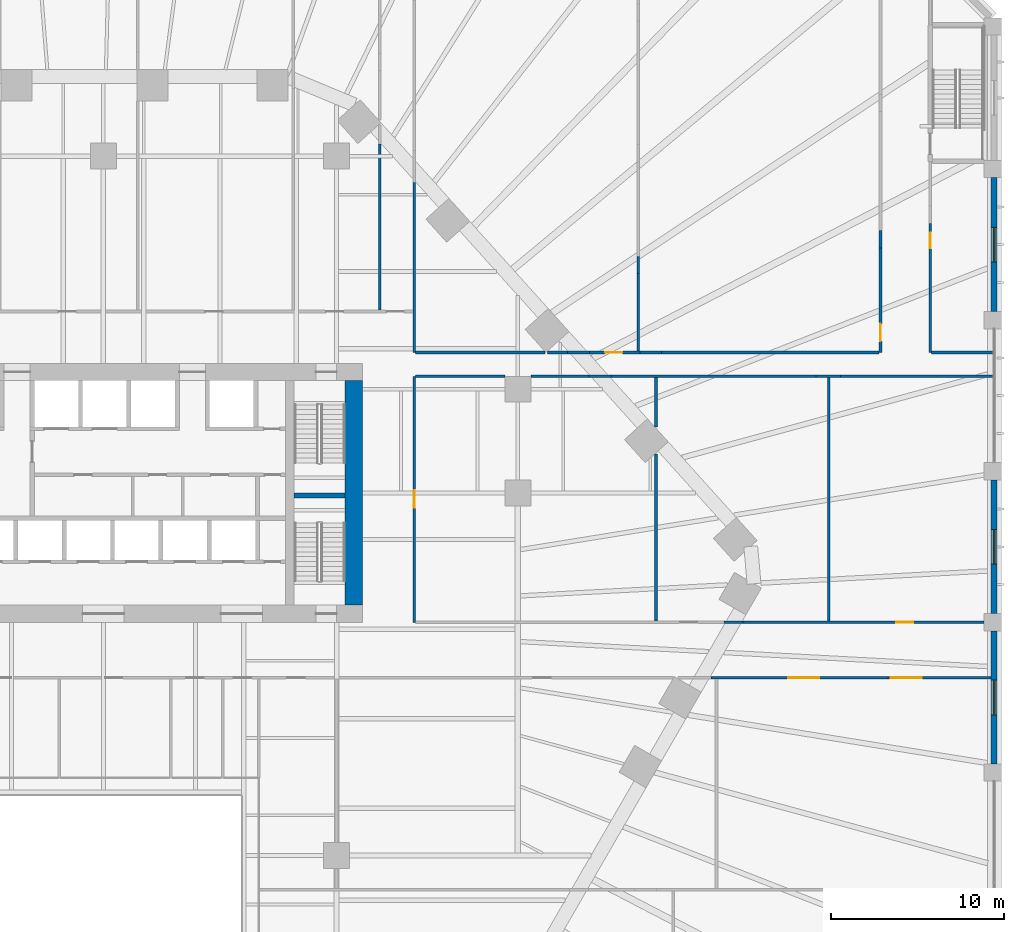
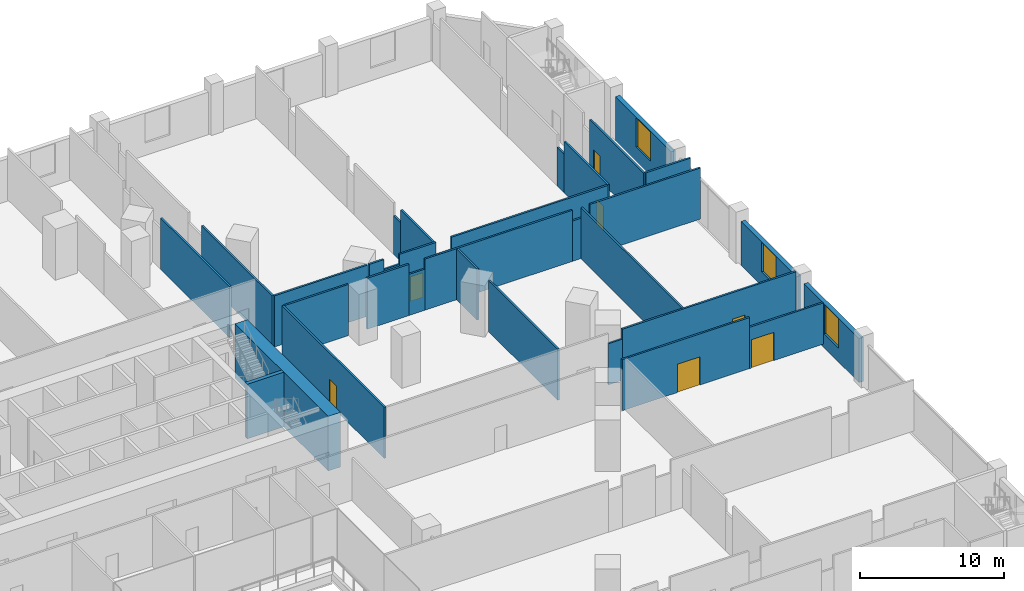
# One storey, part 20 of 33: 33 walls, 7 doors, 3 windows, 10 openings.
"""IFC4 building model written with IfcOpenShell, lengths in metres."""

from ifc_helpers import new_model, si_unit, direction, frame, frame_2d, origin, place, context, subcontext, project, spatial, rectangle, extrude, material, layer, layer_set, type_object, element, fill, save


model = new_model("IFC4")

# Units and contexts
model_context = context("Model", 3, precision=1e-05, world=origin(), true_north=direction((0.0, 1.0)))
body_context = subcontext(model_context, "Body", "Model", "MODEL_VIEW")
ifc_project = project(units=[si_unit("LENGTHUNIT", "METRE"), si_unit("AREAUNIT", "SQUARE_METRE"), si_unit("VOLUMEUNIT", "CUBIC_METRE"), si_unit("PLANEANGLEUNIT", "RADIAN"), si_unit("MASSUNIT", "GRAM", prefix="KILO")], contexts=[model_context])

# Site, building, storey
site_placement = place(None, origin())
site = spatial("IfcSite", under=ifc_project, at=site_placement, CompositionType="ELEMENT")
building_placement = place(site_placement, origin())
building = spatial("IfcBuilding", under=site, at=building_placement, Name="Isthmus Gate Tower", CompositionType="ELEMENT")
storey_placement = place(building_placement, frame((0.0, 0.0, 31.5)))
storey = spatial("IfcBuildingStorey", under=building, at=storey_placement, Name="L05", CompositionType="ELEMENT", Elevation=31.5)

# Wall, opening, door
ifc_material_1 = material(Name="Fire-rated gypsum board on steel studs", Category="steel")
ifc_layer_1 = layer(ifc_material_1, 0.14990234375)
ifc_layer_set_1 = layer_set([ifc_layer_1], Name="Fire-rated partition 150 EI 60")
wall_type_1 = type_object("IfcWallType", Name="Fire-rated partition 150 EI 60", PredefinedType="PARTITIONING", material=ifc_layer_set_1)
wall_1_placement = place(storey_placement, frame((45.0, 15.62939453125, 0.0), z_axis=(0.0, 0.0, 1.0), x_axis=(0.0, 1.0, 0.0)))
wall_1 = element("IfcWall", 1, at=wall_1_placement, inside=storey, type_object=wall_type_1, Name="Fire-rated partition", PredefinedType="PARTITIONING", context=body_context, shape_type="SweptSolid", body=[
    extrude(rectangle(XDim=6.06201171875, YDim=0.14990234375, at=frame_2d((3.031005859375, 0.0))), origin(), (0.0, 0.0, 1.0), 4.35009765625),
])
opening_1_placement = place(wall_1_placement, frame((0.64990234375, 0.0, 0.0)))
opening_1 = element("IfcOpeningElement", 2, at=opening_1_placement, cuts=wall_1, Name="Opening DP05-36", PredefinedType="OPENING", context=body_context, shape_type="SweptSolid", body=[
    extrude(rectangle(XDim=1.0, YDim=2.10009765625, at=frame_2d((0.5, 1.050048828125))), frame((0.0, 0.0849609375, 0.0), z_axis=(0.0, -1.0, 0.0), x_axis=(1.0, 0.0, 0.0)), (0.0, 0.0, 1.0), 0.169921875),
])
ifc_material_2 = material(Name="Steel fire door with intumescent seals", Category="steel")
door_type_1 = type_object("IfcDoorType", Name="Fire door 1000 x 2100", OperationType="SINGLE_SWING_LEFT", PredefinedType="DOOR", material=ifc_material_2)
door_1_placement = place(opening_1_placement, origin())
door_1 = element("IfcDoor", 3, at=door_1_placement, inside=storey, type_object=door_type_1, Name="Door DP05-36", OperationType="SINGLE_SWING_LEFT", OverallHeight=2.10009765625, OverallWidth=1.0, PredefinedType="DOOR", context=body_context, shape_type="SweptSolid", body=[
    extrude(rectangle(XDim=1.0, YDim=2.10009765625, at=frame_2d((0.5, 1.050048828125))), frame((0.0, 0.02490234375, 0.0), z_axis=(0.0, -1.0, 0.0), x_axis=(1.0, 0.0, 0.0)), (0.0, 0.0, 1.0), 0.050048828125),
])
fill(opening_1, door_1)

# Wall
wall_2_placement = place(storey_placement, frame((45.0, 21.69140625, 0.0), z_axis=(0.0, 0.0, 1.0), x_axis=(0.0, 1.0, 0.0)))
element("IfcWall", 4, at=wall_2_placement, inside=storey, type_object=wall_type_1, Name="Fire-rated partition", PredefinedType="PARTITIONING", context=body_context, shape_type="SweptSolid", body=[
    extrude(rectangle(XDim=1.0, YDim=0.14990234375, at=frame_2d((0.5, 0.0))), origin(), (0.0, 0.0, 1.0), 3.260986328125),
])

# Wall, opening, door
wall_3_placement = place(storey_placement, frame((47.875, 15.62939453125, 0.0), z_axis=(0.0, 0.0, 1.0), x_axis=(0.0, 1.0, 0.0)))
wall_3 = element("IfcWall", 5, at=wall_3_placement, inside=storey, type_object=wall_type_1, Name="Fire-rated partition", PredefinedType="PARTITIONING", context=body_context, shape_type="SweptSolid", body=[
    extrude(rectangle(XDim=7.47998046875, YDim=0.14990234375, at=frame_2d((3.739990234375, 0.0))), origin(), (0.0, 0.0, 1.0), 4.35009765625),
])
opening_2_placement = place(wall_3_placement, frame((6.020751953125, 0.0, 0.0)))
opening_2 = element("IfcOpeningElement", 6, at=opening_2_placement, cuts=wall_3, Name="Opening DP05-05", PredefinedType="OPENING", context=body_context, shape_type="SweptSolid", body=[
    extrude(rectangle(XDim=0.89990234375, YDim=2.10009765625, at=frame_2d((0.449951171875, 1.050048828125))), frame((0.0, 0.0849609375, 0.0), z_axis=(0.0, -1.0, 0.0), x_axis=(1.0, 0.0, 0.0)), (0.0, 0.0, 1.0), 0.169921875),
])
ifc_material_3 = material(Name="Steel fire door with intumescent seals", Category="steel")
door_type_2 = type_object("IfcDoorType", Name="Fire door 900 x 2100", OperationType="SINGLE_SWING_LEFT", PredefinedType="DOOR", material=ifc_material_3)
door_2_placement = place(opening_2_placement, origin())
door_2 = element("IfcDoor", 7, at=door_2_placement, inside=storey, type_object=door_type_2, Name="Door DP05-05", OperationType="SINGLE_SWING_LEFT", OverallHeight=2.10009765625, OverallWidth=0.89990234375, PredefinedType="DOOR", context=body_context, shape_type="SweptSolid", body=[
    extrude(rectangle(XDim=0.89990234375, YDim=2.10009765625, at=frame_2d((0.449951171875, 1.050048828125))), frame((0.0, 0.02490234375, 0.0), z_axis=(0.0, -1.0, 0.0), x_axis=(1.0, 0.0, 0.0)), (0.0, 0.0, 1.0), 0.050048828125),
])
fill(opening_2, door_2)

# Wall, opening, window
ifc_material_4 = material(Name="Precast concrete C40/50, limestone-faced", Category="masonry")
ifc_layer_2 = layer(ifc_material_4, 0.35009765625)
ifc_layer_set_2 = layer_set([ifc_layer_2], Name="PODIUM CLADDING WALL 350")
wall_type_2 = type_object("IfcWallType", Name="PODIUM CLADDING WALL 350", PredefinedType="SOLIDWALL", material=ifc_layer_set_2)
wall_4_placement = place(storey_placement, frame((51.574951171875, -8.199951171875, -0.300048828125), z_axis=(0.0, 0.0, 1.0), x_axis=(0.0, 1.0, 0.0)))
wall_4 = element("IfcWall", 8, at=wall_4_placement, inside=storey, type_object=wall_type_2, Name="PODIUM WALL", PredefinedType="SOLIDWALL", context=body_context, shape_type="SweptSolid", body=[
    extrude(rectangle(XDim=7.699951171875, YDim=0.35009765625, at=frame_2d((3.85009765625, 0.0))), origin(), (0.0, 0.0, 1.0), 3.75),
])
opening_3_placement = place(wall_4_placement, frame((2.85009765625, 0.0, 1.199951171875)))
opening_3 = element("IfcOpeningElement", 9, at=opening_3_placement, cuts=wall_4, Name="Opening W102", PredefinedType="OPENING", context=body_context, shape_type="SweptSolid", body=[
    extrude(rectangle(XDim=2.0, YDim=2.5, at=frame_2d((1.0, 1.25))), frame((0.0, 0.18505859375, 0.0), z_axis=(0.0, -1.0, 0.0), x_axis=(1.0, 0.0, 0.0)), (0.0, 0.0, 1.0), 0.3701171875),
])
ifc_material_5 = material(Name="Aluminium, pale champagne anodised, laminated glass", Category="aluminium")
window_type = type_object("IfcWindowType", Name="PODIUM SLOT WINDOW 2000 X 2500", PartitioningType="SINGLE_PANEL", PredefinedType="WINDOW", material=ifc_material_5)
window_1_placement = place(opening_3_placement, origin())
window_1 = element("IfcWindow", 10, at=window_1_placement, inside=storey, type_object=window_type, Name="SLOT WINDOW", OverallHeight=2.5, OverallWidth=2.0, PartitioningType="SINGLE_PANEL", PredefinedType="WINDOW", context=body_context, shape_type="SweptSolid", body=[
    extrude(rectangle(XDim=2.0, YDim=2.5, at=frame_2d((1.0, 1.25))), frame((0.0, 0.030029296875, 0.0), z_axis=(0.0, -1.0, 0.0), x_axis=(1.0, 0.0, 0.0)), (0.0, 0.0, 1.0), 0.06005859375),
])
fill(opening_3, window_1)

wall_5_placement = place(storey_placement, frame((51.574951171875, 0.5, -0.300048828125), z_axis=(0.0, 0.0, 1.0), x_axis=(0.0, 1.0, 0.0)))
wall_5 = element("IfcWall", 11, at=wall_5_placement, inside=storey, type_object=wall_type_2, Name="PODIUM WALL", PredefinedType="SOLIDWALL", context=body_context, shape_type="SweptSolid", body=[
    extrude(rectangle(XDim=7.75, YDim=0.35009765625, at=frame_2d((3.875, 0.0))), origin(), (0.0, 0.0, 1.0), 3.75),
])
opening_4_placement = place(wall_5_placement, frame((2.875, 0.0, 1.199951171875)))
opening_4 = element("IfcOpeningElement", 12, at=opening_4_placement, cuts=wall_5, Name="Opening W103", PredefinedType="OPENING", context=body_context, shape_type="SweptSolid", body=[
    extrude(rectangle(XDim=2.0, YDim=2.5, at=frame_2d((1.0, 1.25))), frame((0.0, 0.18505859375, 0.0), z_axis=(0.0, -1.0, 0.0), x_axis=(1.0, 0.0, 0.0)), (0.0, 0.0, 1.0), 0.3701171875),
])
window_2_placement = place(opening_4_placement, origin())
window_2 = element("IfcWindow", 13, at=window_2_placement, inside=storey, type_object=window_type, Name="SLOT WINDOW", OverallHeight=2.5, OverallWidth=2.0, PartitioningType="SINGLE_PANEL", PredefinedType="WINDOW", context=body_context, shape_type="SweptSolid", body=[
    extrude(rectangle(XDim=2.0, YDim=2.5, at=frame_2d((1.0, 1.25))), frame((0.0, 0.030029296875, 0.0), z_axis=(0.0, -1.0, 0.0), x_axis=(1.0, 0.0, 0.0)), (0.0, 0.0, 1.0), 0.06005859375),
])
fill(opening_4, window_2)

wall_6_placement = place(storey_placement, frame((51.574951171875, 18.0, -0.300048828125), z_axis=(0.0, 0.0, 1.0), x_axis=(0.0, 1.0, 0.0)))
wall_6 = element("IfcWall", 14, at=wall_6_placement, inside=storey, type_object=wall_type_2, Name="PODIUM WALL", PredefinedType="SOLIDWALL", context=body_context, shape_type="SweptSolid", body=[
    extrude(rectangle(XDim=7.75, YDim=0.35009765625, at=frame_2d((3.875, 0.0))), origin(), (0.0, 0.0, 1.0), 3.75),
])
opening_5_placement = place(wall_6_placement, frame((2.875, 0.0, 1.199951171875)))
opening_5 = element("IfcOpeningElement", 15, at=opening_5_placement, cuts=wall_6, Name="Opening W104", PredefinedType="OPENING", context=body_context, shape_type="SweptSolid", body=[
    extrude(rectangle(XDim=2.0, YDim=2.5, at=frame_2d((1.0, 1.25))), frame((0.0, 0.18505859375, 0.0), z_axis=(0.0, -1.0, 0.0), x_axis=(1.0, 0.0, 0.0)), (0.0, 0.0, 1.0), 0.3701171875),
])
window_3_placement = place(opening_5_placement, origin())
window_3 = element("IfcWindow", 16, at=window_3_placement, inside=storey, type_object=window_type, Name="SLOT WINDOW", OverallHeight=2.5, OverallWidth=2.0, PartitioningType="SINGLE_PANEL", PredefinedType="WINDOW", context=body_context, shape_type="SweptSolid", body=[
    extrude(rectangle(XDim=2.0, YDim=2.5, at=frame_2d((1.0, 1.25))), frame((0.0, 0.030029296875, 0.0), z_axis=(0.0, -1.0, 0.0), x_axis=(1.0, 0.0, 0.0)), (0.0, 0.0, 1.0), 0.06005859375),
])
fill(opening_5, window_3)

# Wall, opening, door
ifc_material_6 = material(Name="Gypsum board on cold-formed steel studs", Category="steel")
ifc_layer_3 = layer(ifc_material_6, 0.14990234375)
ifc_layer_set_3 = layer_set([ifc_layer_3])
wall_type_3 = type_object("IfcWallType", Name="Partition 150 gypsum board on steel studs", PredefinedType="PARTITIONING", material=ifc_layer_set_3)
wall_7_placement = place(storey_placement, frame((35.189453125, -3.199951171875, 0.0), z_axis=(0.0, 0.0, 1.0), x_axis=(1.0, 0.0, 0.0)))
wall_7 = element("IfcWall", 17, at=wall_7_placement, inside=storey, type_object=wall_type_3, Name="Partition", PredefinedType="PARTITIONING", context=body_context, shape_type="SweptSolid", body=[
    extrude(rectangle(XDim=10.25341796875, YDim=0.14990234375, at=frame_2d((5.126708984375, 0.0))), origin(), (0.0, 0.0, 1.0), 4.35009765625),
])
opening_6_placement = place(wall_7_placement, frame((4.46044921875, 0.0, 0.0)))
opening_6 = element("IfcOpeningElement", 18, at=opening_6_placement, cuts=wall_7, Name="Opening DP05-19", PredefinedType="OPENING", context=body_context, shape_type="SweptSolid", body=[
    extrude(rectangle(XDim=1.800048828125, YDim=2.39990234375, at=frame_2d((0.89990234375, 1.199951171875))), frame((0.0, 0.0849609375, 0.0), z_axis=(0.0, -1.0, 0.0), x_axis=(1.0, 0.0, 0.0)), (0.0, 0.0, 1.0), 0.169921875),
])
ifc_material_7 = material(Name="Hollow metal frame with solid-core timber leaves", Category="wood")
door_type_3 = type_object("IfcDoorType", Name="Double swing door 1800 x 2400", OperationType="DOUBLE_DOOR_SINGLE_SWING", PredefinedType="DOOR", material=ifc_material_7)
door_3_placement = place(opening_6_placement, origin())
door_3 = element("IfcDoor", 19, at=door_3_placement, inside=storey, type_object=door_type_3, Name="Door DP05-19", OperationType="SINGLE_SWING_LEFT", OverallHeight=2.39990234375, OverallWidth=1.800048828125, PredefinedType="DOOR", context=body_context, shape_type="SweptSolid", body=[
    extrude(rectangle(XDim=1.800048828125, YDim=2.39990234375, at=frame_2d((0.89990234375, 1.199951171875))), frame((0.0, 0.02490234375, 0.0), z_axis=(0.0, -1.0, 0.0), x_axis=(1.0, 0.0, 0.0)), (0.0, 0.0, 1.0), 0.050048828125),
])
fill(opening_6, door_3)

wall_8_placement = place(storey_placement, frame((45.44287109375, -3.199951171875, 0.0), z_axis=(0.0, 0.0, 1.0), x_axis=(1.0, 0.0, 0.0)))
wall_8 = element("IfcWall", 20, at=wall_8_placement, inside=storey, type_object=wall_type_3, Name="Partition", PredefinedType="PARTITIONING", context=body_context, shape_type="SweptSolid", body=[
    extrude(rectangle(XDim=5.95703125, YDim=0.14990234375, at=frame_2d((2.978515625, 0.0))), origin(), (0.0, 0.0, 1.0), 3.514892578125),
])
opening_7_placement = place(wall_8_placement, frame((0.14990234375, 0.0, 0.0)))
opening_7 = element("IfcOpeningElement", 21, at=opening_7_placement, cuts=wall_8, Name="Opening DP05-20", PredefinedType="OPENING", context=body_context, shape_type="SweptSolid", body=[
    extrude(rectangle(XDim=1.800048828125, YDim=2.39990234375, at=frame_2d((0.89990234375, 1.199951171875))), frame((0.0, 0.0849609375, 0.0), z_axis=(0.0, -1.0, 0.0), x_axis=(1.0, 0.0, 0.0)), (0.0, 0.0, 1.0), 0.169921875),
])
door_4_placement = place(opening_7_placement, origin())
door_4 = element("IfcDoor", 22, at=door_4_placement, inside=storey, type_object=door_type_3, Name="Door DP05-20", OperationType="SINGLE_SWING_LEFT", OverallHeight=2.39990234375, OverallWidth=1.800048828125, PredefinedType="DOOR", context=body_context, shape_type="SweptSolid", body=[
    extrude(rectangle(XDim=1.800048828125, YDim=2.39990234375, at=frame_2d((0.89990234375, 1.199951171875))), frame((0.0, 0.02490234375, 0.0), z_axis=(0.0, -1.0, 0.0), x_axis=(1.0, 0.0, 0.0)), (0.0, 0.0, 1.0), 0.050048828125),
])
fill(opening_7, door_4)

# Wall
wall_9_placement = place(storey_placement, frame((35.940185546875, 0.0, 0.0), z_axis=(0.0, 0.0, 1.0), x_axis=(1.0, 0.0, 0.0)))
element("IfcWall", 23, at=wall_9_placement, inside=storey, type_object=wall_type_3, Name="Partition", PredefinedType="PARTITIONING", context=body_context, shape_type="SweptSolid", body=[
    extrude(rectangle(XDim=1.096923828125, YDim=0.14990234375, at=frame_2d((0.54833984375, 0.0))), origin(), (0.0, 0.0, 1.0), 3.5),
])

# Wall, opening, door
wall_10_placement = place(storey_placement, frame((37.037109375, 0.0, 0.0), z_axis=(0.0, 0.0, 1.0), x_axis=(1.0, 0.0, 0.0)))
wall_10 = element("IfcWall", 24, at=wall_10_placement, inside=storey, type_object=wall_type_3, Name="Partition", PredefinedType="PARTITIONING", context=body_context, shape_type="SweptSolid", body=[
    extrude(rectangle(XDim=13.962890625, YDim=0.14990234375, at=frame_2d((6.9814453125, 0.0))), origin(), (0.0, 0.0, 1.0), 4.35009765625),
])
opening_8_placement = place(wall_10_placement, frame((8.863037109375, 0.0, 0.0)))
opening_8 = element("IfcOpeningElement", 25, at=opening_8_placement, cuts=wall_10, Name="Opening DP05-42", PredefinedType="OPENING", context=body_context, shape_type="SweptSolid", body=[
    extrude(rectangle(XDim=1.0, YDim=2.10009765625, at=frame_2d((0.5, 1.050048828125))), frame((0.0, 0.0849609375, 0.0), z_axis=(0.0, -1.0, 0.0), x_axis=(1.0, 0.0, 0.0)), (0.0, 0.0, 1.0), 0.169921875),
])
ifc_material_8 = material(Name="Hollow metal frame with solid-core timber leaf", Category="wood")
door_type_4 = type_object("IfcDoorType", Name="Single swing door 1000 x 2100", OperationType="SINGLE_SWING_LEFT", PredefinedType="DOOR", material=ifc_material_8)
door_5_placement = place(opening_8_placement, origin())
door_5 = element("IfcDoor", 26, at=door_5_placement, inside=storey, type_object=door_type_4, Name="Door DP05-42", OperationType="SINGLE_SWING_LEFT", OverallHeight=2.10009765625, OverallWidth=1.0, PredefinedType="DOOR", context=body_context, shape_type="SweptSolid", body=[
    extrude(rectangle(XDim=1.0, YDim=2.10009765625, at=frame_2d((0.5, 1.050048828125))), frame((0.0, 0.02490234375, 0.0), z_axis=(0.0, -1.0, 0.0), x_axis=(1.0, 0.0, 0.0)), (0.0, 0.0, 1.0), 0.050048828125),
])
fill(opening_8, door_5)

# Walls
wall_11_placement = place(storey_placement, frame((18.074951171875, 14.25, 0.0), z_axis=(0.0, 0.0, 1.0), x_axis=(1.0, 0.0, 0.0)))
element("IfcWall", 27, at=wall_11_placement, inside=storey, type_object=wall_type_3, Name="Partition", PredefinedType="PARTITIONING", context=body_context, shape_type="SweptSolid", body=[
    extrude(rectangle(XDim=5.175048828125, YDim=0.14990234375, at=frame_2d((2.58740234375, 0.0))), origin(), (0.0, 0.0, 1.0), 4.35009765625),
])
wall_12_placement = place(storey_placement, frame((24.75, 14.25, 0.0), z_axis=(0.0, 0.0, 1.0), x_axis=(1.0, 0.0, 0.0)))
element("IfcWall", 28, at=wall_12_placement, inside=storey, type_object=wall_type_3, Name="Partition", PredefinedType="PARTITIONING", context=body_context, shape_type="SweptSolid", body=[
    extrude(rectangle(XDim=3.361083984375, YDim=0.14990234375, at=frame_2d((1.6806640625, 0.0))), origin(), (0.0, 0.0, 1.0), 4.35009765625),
])
wall_13_placement = place(storey_placement, frame((28.111083984375, 14.25, 0.0), z_axis=(0.0, 0.0, 1.0), x_axis=(1.0, 0.0, 0.0)))
element("IfcWall", 29, at=wall_13_placement, inside=storey, type_object=wall_type_3, Name="Partition", PredefinedType="PARTITIONING", context=body_context, shape_type="SweptSolid", body=[
    extrude(rectangle(XDim=1.2783203125, YDim=0.14990234375, at=frame_2d((0.63916015625, 0.0))), origin(), (0.0, 0.0, 1.0), 3.5),
])
wall_14_placement = place(storey_placement, frame((29.389404296875, 14.25, 0.0), z_axis=(0.0, 0.0, 1.0), x_axis=(1.0, 0.0, 0.0)))
element("IfcWall", 30, at=wall_14_placement, inside=storey, type_object=wall_type_3, Name="Partition", PredefinedType="PARTITIONING", context=body_context, shape_type="SweptSolid", body=[
    extrude(rectangle(XDim=11.88232421875, YDim=0.14990234375, at=frame_2d((5.941162109375, 0.0))), origin(), (0.0, 0.0, 1.0), 4.35009765625),
])
wall_15_placement = place(storey_placement, frame((41.271728515625, 14.25, 0.0), z_axis=(0.0, 0.0, 1.0), x_axis=(1.0, 0.0, 0.0)))
element("IfcWall", 31, at=wall_15_placement, inside=storey, type_object=wall_type_3, Name="Partition", PredefinedType="PARTITIONING", context=body_context, shape_type="SweptSolid", body=[
    extrude(rectangle(XDim=1.414794921875, YDim=0.14990234375, at=frame_2d((0.70751953125, 0.0))), origin(), (0.0, 0.0, 1.0), 3.435546875),
])
wall_16_placement = place(storey_placement, frame((42.6865234375, 14.25, 0.0), z_axis=(0.0, 0.0, 1.0), x_axis=(1.0, 0.0, 0.0)))
element("IfcWall", 32, at=wall_16_placement, inside=storey, type_object=wall_type_3, Name="Partition", PredefinedType="PARTITIONING", context=body_context, shape_type="SweptSolid", body=[
    extrude(rectangle(XDim=8.883544921875, YDim=0.14990234375, at=frame_2d((4.44189453125, 0.0))), origin(), (0.0, 0.0, 1.0), 4.35009765625),
])
wall_17_placement = place(storey_placement, frame((18.074951171875, 15.62890625, 0.0), z_axis=(0.0, 0.0, 1.0), x_axis=(1.0, 0.0, 0.0)))
element("IfcWall", 33, at=wall_17_placement, inside=storey, type_object=wall_type_3, Name="Partition", PredefinedType="PARTITIONING", context=body_context, shape_type="SweptSolid", body=[
    extrude(rectangle(XDim=7.482177734375, YDim=0.14990234375, at=frame_2d((3.7412109375, 0.0))), origin(), (0.0, 0.0, 1.0), 4.35009765625),
])
wall_18_placement = place(storey_placement, frame((25.70751953125, 15.62890625, 0.0), z_axis=(0.0, 0.0, 1.0), x_axis=(1.0, 0.0, 0.0)))
element("IfcWall", 34, at=wall_18_placement, inside=storey, type_object=wall_type_3, Name="Partition", PredefinedType="PARTITIONING", context=body_context, shape_type="SweptSolid", body=[
    extrude(rectangle(XDim=1.161865234375, YDim=0.14990234375, at=frame_2d((0.5810546875, 0.0))), origin(), (0.0, 0.0, 1.0), 4.35009765625),
])
wall_19_placement = place(storey_placement, frame((26.869384765625, 15.62890625, 0.0), z_axis=(0.0, 0.0, 1.0), x_axis=(1.0, 0.0, 0.0)))
element("IfcWall", 35, at=wall_19_placement, inside=storey, type_object=wall_type_3, Name="Partition", PredefinedType="PARTITIONING", context=body_context, shape_type="SweptSolid", body=[
    extrude(rectangle(XDim=1.2783203125, YDim=0.14990234375, at=frame_2d((0.63916015625, 0.0))), origin(), (0.0, 0.0, 1.0), 3.5),
])

# Wall, opening, door
wall_20_placement = place(storey_placement, frame((28.147705078125, 15.62890625, 0.0), z_axis=(0.0, 0.0, 1.0), x_axis=(1.0, 0.0, 0.0)))
wall_20 = element("IfcWall", 36, at=wall_20_placement, inside=storey, type_object=wall_type_3, Name="Partition", PredefinedType="PARTITIONING", context=body_context, shape_type="SweptSolid", body=[
    extrude(rectangle(XDim=2.923095703125, YDim=0.14990234375, at=frame_2d((1.46142578125, 0.0))), origin(), (0.0, 0.0, 1.0), 4.35009765625),
])
opening_9_placement = place(wall_20_placement, frame((0.89990234375, 0.0, 0.0)))
opening_9 = element("IfcOpeningElement", 37, at=opening_9_placement, cuts=wall_20, Name="Opening DP05-35", PredefinedType="OPENING", context=body_context, shape_type="SweptSolid", body=[
    extrude(rectangle(XDim=1.0, YDim=2.10009765625, at=frame_2d((0.5, 1.050048828125))), frame((0.0, 0.0849609375, 0.0), z_axis=(0.0, -1.0, 0.0), x_axis=(1.0, 0.0, 0.0)), (0.0, 0.0, 1.0), 0.169921875),
])
door_6_placement = place(opening_9_placement, origin())
door_6 = element("IfcDoor", 38, at=door_6_placement, inside=storey, type_object=door_type_4, Name="Door DP05-35", OperationType="SINGLE_SWING_LEFT", OverallHeight=2.10009765625, OverallWidth=1.0, PredefinedType="DOOR", context=body_context, shape_type="SweptSolid", body=[
    extrude(rectangle(XDim=1.0, YDim=2.10009765625, at=frame_2d((0.5, 1.050048828125))), frame((0.0, 0.02490234375, 0.0), z_axis=(0.0, -1.0, 0.0), x_axis=(1.0, 0.0, 0.0)), (0.0, 0.0, 1.0), 0.050048828125),
])
fill(opening_9, door_6)

# Walls
wall_21_placement = place(storey_placement, frame((31.07080078125, 15.62890625, 0.0), z_axis=(0.0, 0.0, 1.0), x_axis=(1.0, 0.0, 0.0)))
element("IfcWall", 39, at=wall_21_placement, inside=storey, type_object=wall_type_3, Name="Partition", PredefinedType="PARTITIONING", context=body_context, shape_type="SweptSolid", body=[
    extrude(rectangle(XDim=1.243408203125, YDim=0.14990234375, at=frame_2d((0.62158203125, 0.0))), origin(), (0.0, 0.0, 1.0), 3.260986328125),
])
wall_22_placement = place(storey_placement, frame((32.314208984375, 15.62890625, 0.0), z_axis=(0.0, 0.0, 1.0), x_axis=(1.0, 0.0, 0.0)))
element("IfcWall", 40, at=wall_22_placement, inside=storey, type_object=wall_type_3, Name="Partition", PredefinedType="PARTITIONING", context=body_context, shape_type="SweptSolid", body=[
    extrude(rectangle(XDim=12.61083984375, YDim=0.14990234375, at=frame_2d((6.305419921875, 0.0))), origin(), (0.0, 0.0, 1.0), 4.35009765625),
])
wall_23_placement = place(storey_placement, frame((47.949951171875, 15.62890625, 0.0), z_axis=(0.0, 0.0, 1.0), x_axis=(1.0, 0.0, 0.0)))
element("IfcWall", 41, at=wall_23_placement, inside=storey, type_object=wall_type_3, Name="Partition", PredefinedType="PARTITIONING", context=body_context, shape_type="SweptSolid", body=[
    extrude(rectangle(XDim=3.6201171875, YDim=0.14990234375, at=frame_2d((1.81005859375, 0.0))), origin(), (0.0, 0.0, 1.0), 4.35009765625),
])
wall_24_placement = place(storey_placement, frame((16.0, 18.074951171875, 0.0), z_axis=(0.0, 0.0, 1.0), x_axis=(0.0, 1.0, 0.0)))
element("IfcWall", 42, at=wall_24_placement, inside=storey, type_object=wall_type_3, Name="Partition", PredefinedType="PARTITIONING", context=body_context, shape_type="SweptSolid", body=[
    extrude(rectangle(XDim=9.625732421875, YDim=0.14990234375, at=frame_2d((4.81298828125, 0.0))), origin(), (0.0, 0.0, 1.0), 4.35009765625),
])

# Wall, opening, door
wall_25_placement = place(storey_placement, frame((18.0, 0.0, 0.0), z_axis=(0.0, 0.0, 1.0), x_axis=(0.0, 1.0, 0.0)))
wall_25 = element("IfcWall", 43, at=wall_25_placement, inside=storey, type_object=wall_type_3, Name="Partition", PredefinedType="PARTITIONING", context=body_context, shape_type="SweptSolid", body=[
    extrude(rectangle(XDim=14.25, YDim=0.14990234375, at=frame_2d((7.125, 0.0))), origin(), (0.0, 0.0, 1.0), 4.35009765625),
])
opening_10_placement = place(wall_25_placement, frame((6.64990234375, 0.0, 0.0)))
opening_10 = element("IfcOpeningElement", 44, at=opening_10_placement, cuts=wall_25, Name="Opening DP05-40", PredefinedType="OPENING", context=body_context, shape_type="SweptSolid", body=[
    extrude(rectangle(XDim=1.0, YDim=2.10009765625, at=frame_2d((0.5, 1.050048828125))), frame((0.0, 0.0849609375, 0.0), z_axis=(0.0, -1.0, 0.0), x_axis=(1.0, 0.0, 0.0)), (0.0, 0.0, 1.0), 0.169921875),
])
door_7_placement = place(opening_10_placement, origin())
door_7 = element("IfcDoor", 45, at=door_7_placement, inside=storey, type_object=door_type_4, Name="Door DP05-40", OperationType="SINGLE_SWING_LEFT", OverallHeight=2.10009765625, OverallWidth=1.0, PredefinedType="DOOR", context=body_context, shape_type="SweptSolid", body=[
    extrude(rectangle(XDim=1.0, YDim=2.10009765625, at=frame_2d((0.5, 1.050048828125))), frame((0.0, 0.02490234375, 0.0), z_axis=(0.0, -1.0, 0.0), x_axis=(1.0, 0.0, 0.0)), (0.0, 0.0, 1.0), 0.050048828125),
])
fill(opening_10, door_7)

# Walls
wall_26_placement = place(storey_placement, frame((18.0, 15.62939453125, 0.0), z_axis=(0.0, 0.0, 1.0), x_axis=(0.0, 1.0, 0.0)))
element("IfcWall", 46, at=wall_26_placement, inside=storey, type_object=wall_type_3, Name="Partition", PredefinedType="PARTITIONING", context=body_context, shape_type="SweptSolid", body=[
    extrude(rectangle(XDim=9.85009765625, YDim=0.14990234375, at=frame_2d((4.925048828125, 0.0))), origin(), (0.0, 0.0, 1.0), 4.35009765625),
])
wall_27_placement = place(storey_placement, frame((32.0, 0.074951171875, 0.0), z_axis=(0.0, 0.0, 1.0), x_axis=(0.0, 1.0, 0.0)))
element("IfcWall", 47, at=wall_27_placement, inside=storey, type_object=wall_type_3, Name="Partition", PredefinedType="PARTITIONING", context=body_context, shape_type="SweptSolid", body=[
    extrude(rectangle(XDim=9.669189453125, YDim=0.14990234375, at=frame_2d((4.83447265625, 0.0))), origin(), (0.0, 0.0, 1.0), 4.35009765625),
])
wall_28_placement = place(storey_placement, frame((32.0, 11.322021484375, 0.0), z_axis=(0.0, 0.0, 1.0), x_axis=(0.0, 1.0, 0.0)))
element("IfcWall", 48, at=wall_28_placement, inside=storey, type_object=wall_type_3, Name="Partition", PredefinedType="PARTITIONING", context=body_context, shape_type="SweptSolid", body=[
    extrude(rectangle(XDim=2.85302734375, YDim=0.14990234375, at=frame_2d((1.426513671875, 0.0))), origin(), (0.0, 0.0, 1.0), 4.35009765625),
])
wall_29_placement = place(storey_placement, frame((30.97509765625, 15.7041015625, 0.0), z_axis=(0.0, 0.0, 1.0), x_axis=(0.0, 1.0, 0.0)))
element("IfcWall", 49, at=wall_29_placement, inside=storey, type_object=wall_type_3, Name="Partition", PredefinedType="PARTITIONING", context=body_context, shape_type="SweptSolid", body=[
    extrude(rectangle(XDim=4.49267578125, YDim=0.14990234375, at=frame_2d((2.246337890625, 0.0))), origin(), (0.0, 0.0, 1.0), 4.35009765625),
])
wall_30_placement = place(storey_placement, frame((30.97509765625, 20.19677734375, 0.0), z_axis=(0.0, 0.0, 1.0), x_axis=(0.0, 1.0, 0.0)))
element("IfcWall", 50, at=wall_30_placement, inside=storey, type_object=wall_type_3, Name="Partition", PredefinedType="PARTITIONING", context=body_context, shape_type="SweptSolid", body=[
    extrude(rectangle(XDim=1.0, YDim=0.14990234375, at=frame_2d((0.5, 0.0))), origin(), (0.0, 0.0, 1.0), 3.260986328125),
])
wall_31_placement = place(storey_placement, frame((42.0, 0.074951171875, 0.0), z_axis=(0.0, 0.0, 1.0), x_axis=(0.0, 1.0, 0.0)))
element("IfcWall", 51, at=wall_31_placement, inside=storey, type_object=wall_type_3, Name="Partition", PredefinedType="PARTITIONING", context=body_context, shape_type="SweptSolid", body=[
    extrude(rectangle(XDim=14.10009765625, YDim=0.14990234375, at=frame_2d((7.050048828125, 0.0))), origin(), (0.0, 0.0, 1.0), 4.35009765625),
])
ifc_material_9 = material(Name="Concrete f'c 70 MPa", Category="concrete")
ifc_layer_4 = layer(ifc_material_9, 1.0)
ifc_layer_set_4 = layer_set([ifc_layer_4], Name="RC CORE WALL 1000 F'C 70")
wall_type_4 = type_object("IfcWallType", Name="RC CORE WALL 1000 F'C 70", PredefinedType="SOLIDWALL", material=ifc_layer_set_4)
wall_32_placement = place(storey_placement, frame((14.5, 1.0, -0.300048828125), z_axis=(0.0, 0.0, 1.0), x_axis=(0.0, 1.0, 0.0)))
element("IfcWall", 52, at=wall_32_placement, inside=storey, type_object=wall_type_4, Name="str-corewall-L05-E", PredefinedType="SOLIDWALL", context=body_context, shape_type="SweptSolid", body=[
    extrude(rectangle(XDim=13.0, YDim=1.0, at=frame_2d((6.5, 0.0))), origin(), (0.0, 0.0, 1.0), 4.650146484375),
])
ifc_material_10 = material(Name="Concrete f'c 40 MPa", Category="concrete")
ifc_layer_5 = layer(ifc_material_10, 0.300048828125)
ifc_layer_set_5 = layer_set([ifc_layer_5], Name="STAIR ENCLOSURE WALL 300 180 MIN")
wall_type_5 = type_object("IfcWallType", Name="STAIR ENCLOSURE WALL 300 180 MIN", PredefinedType="SOLIDWALL", material=ifc_layer_set_5)
wall_33_placement = place(storey_placement, frame((11.050048828125, 7.35009765625, -0.300048828125), z_axis=(0.0, 0.0, 1.0), x_axis=(1.0, 0.0, 0.0)))
element("IfcWall", 53, at=wall_33_placement, inside=storey, type_object=wall_type_5, Name="L05 STAIR ENCLOSURE WALL 300 180 MIN", PredefinedType="SOLIDWALL", context=body_context, shape_type="SweptSolid", body=[
    extrude(rectangle(XDim=2.949951171875, YDim=0.300048828125, at=frame_2d((1.47509765625, 0.0))), origin(), (0.0, 0.0, 1.0), 4.650146484375),
])

save(model, "model.ifc")
